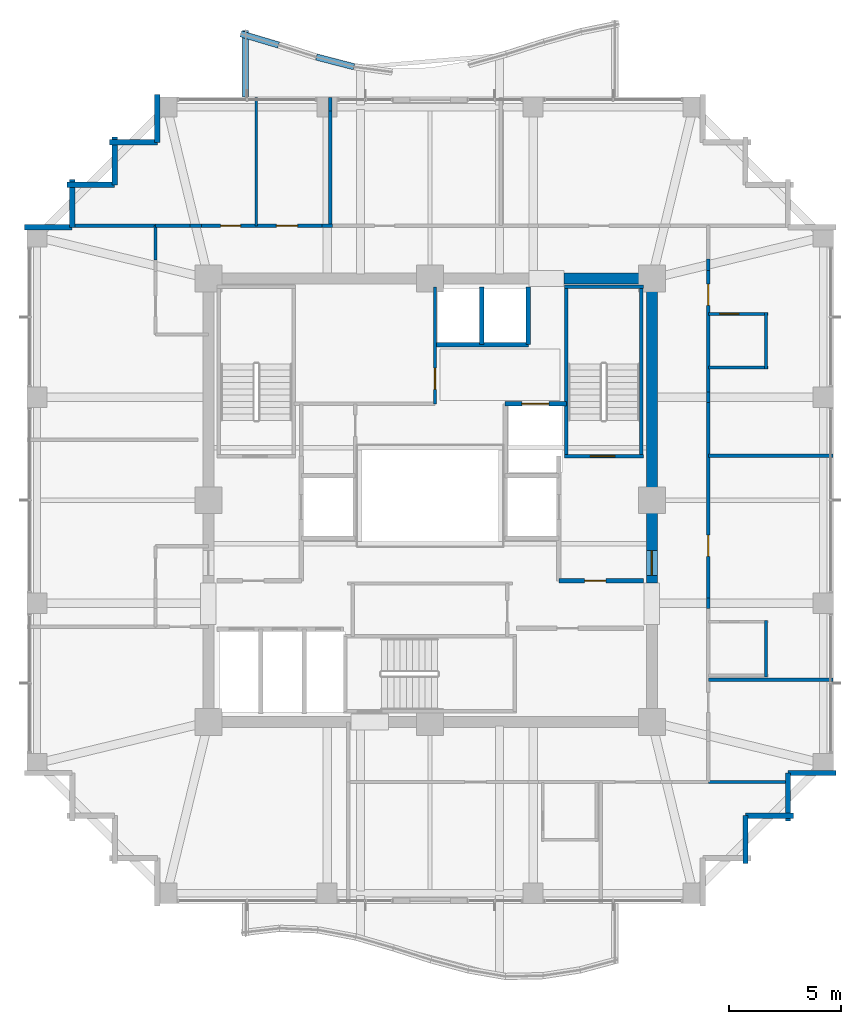
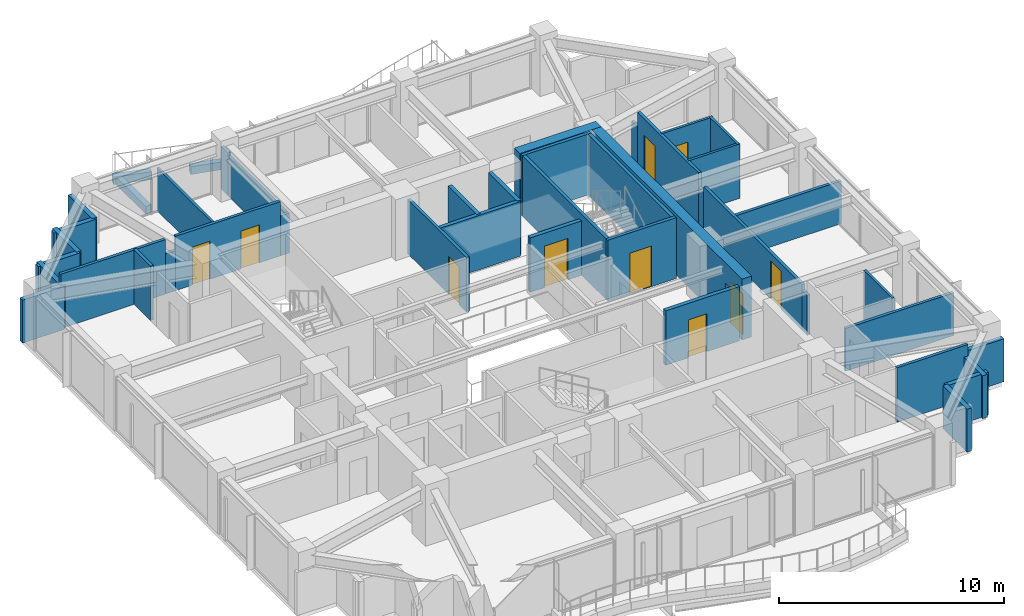
# One storey, part 28 of 31: 46 walls, 10 doors, 10 openings.
"""IFC4 building model written with IfcOpenShell, lengths in metres."""

from ifc_helpers import new_model, si_unit, direction, frame, frame_2d, origin, place, context, subcontext, project, spatial, rectangle, extrude, material, layer, layer_set, type_object, element, fill, save


model = new_model("IFC4")

# Units and contexts
model_context = context("Model", 3, precision=1e-05, world=origin(), true_north=direction((0.0, 1.0)))
body_context = subcontext(model_context, "Body", "Model", "MODEL_VIEW")
ifc_project = project(units=[si_unit("LENGTHUNIT", "METRE"), si_unit("AREAUNIT", "SQUARE_METRE"), si_unit("VOLUMEUNIT", "CUBIC_METRE"), si_unit("PLANEANGLEUNIT", "RADIAN"), si_unit("MASSUNIT", "GRAM", prefix="KILO")], contexts=[model_context])

# Site, building, storey
site_placement = place(None, origin())
site = spatial("IfcSite", under=ifc_project, at=site_placement, CompositionType="ELEMENT")
building_placement = place(site_placement, origin())
building = spatial("IfcBuilding", under=site, at=building_placement, Name="Kolvaren Belvedere", CompositionType="ELEMENT")
storey_placement = place(building_placement, frame((0.0, 0.0, 144.800048828125)))
storey = spatial("IfcBuildingStorey", under=building, at=storey_placement, Name="L42", CompositionType="ELEMENT", Elevation=144.800048828125)

# Wall
ifc_material_1 = material(Name="Concrete C50/60", Category="concrete")
ifc_layer_1 = layer(ifc_material_1, 0.5)
ifc_layer_set_1 = layer_set([ifc_layer_1], Name="Concrete C50/60")
wall_type_1 = type_object("IfcWallType", Name="CW-CORE-500", PredefinedType="SHEAR", material=ifc_layer_set_1)
wall_1_placement = place(storey_placement, frame((5.97998046875, 9.89990234375, 0.0), z_axis=(0.0, 0.0, 1.0), x_axis=(1.0, 0.0, 0.0)))
element("IfcWall", 1, at=wall_1_placement, inside=storey, type_object=wall_type_1, Name="L42 North Core Shear Wall 2", PredefinedType="SHEAR", context=body_context, shape_type="SweptSolid", body=[
    extrude(rectangle(XDim=4.169921875, YDim=0.5, at=frame_2d((2.0849609375, 0.0))), origin(), (0.0, 0.0, 1.0), 3.300048828125),
])

# Wall, opening, door
wall_2_placement = place(storey_placement, frame((9.89990234375, -3.699951171875, 0.0), z_axis=(0.0, 0.0, 1.0), x_axis=(0.0, 1.0, 0.0)))
wall_2 = element("IfcWall", 2, at=wall_2_placement, inside=storey, type_object=wall_type_1, Name="L42 East Core Shear Wall 2", PredefinedType="SHEAR", context=body_context, shape_type="SweptSolid", body=[
    extrude(rectangle(XDim=13.349853515625, YDim=0.5, at=frame_2d((6.6748046875, 0.0))), origin(), (0.0, 0.0, 1.0), 3.300048828125),
])
opening_1_placement = place(wall_2_placement, frame((0.35009765625, 0.0, 0.0)))
opening_1 = element("IfcOpeningElement", 3, at=opening_1_placement, cuts=wall_2, Name="Opening D-FD90", PredefinedType="OPENING", context=body_context, shape_type="SweptSolid", body=[
    extrude(rectangle(XDim=1.10009765625, YDim=2.199951171875, at=frame_2d((0.550048828125, 1.10009765625))), frame((0.0, 0.260009765625, 0.0), z_axis=(0.0, -1.0, 0.0), x_axis=(1.0, 0.0, 0.0)), (0.0, 0.0, 1.0), 0.52001953125),
])
ifc_material_2 = material(Name="Painted hollow stainless steel", Category="steel")
door_type_1 = type_object("IfcDoorType", Name="DR-FD90-1100", OperationType="NOTDEFINED", PredefinedType="DOOR", material=ifc_material_2)
door_1_placement = place(opening_1_placement, origin())
door_1 = element("IfcDoor", 4, at=door_1_placement, inside=storey, type_object=door_type_1, Name="L42 East Firefighting Lobby Fire Door", OperationType="SINGLE_SWING_RIGHT", OverallHeight=2.199951171875, OverallWidth=1.10009765625, PredefinedType="DOOR", context=body_context, shape_type="SweptSolid", body=[
    extrude(rectangle(XDim=1.10009765625, YDim=2.199951171875, at=frame_2d((0.550048828125, 1.10009765625))), frame((0.0, 0.02490234375, 0.0), z_axis=(0.0, -1.0, 0.0), x_axis=(1.0, 0.0, 0.0)), (0.0, 0.0, 1.0), 0.050048828125),
])
fill(opening_1, door_1)

ifc_material_3 = material(Name="Concrete C50/60", Category="concrete")
ifc_layer_2 = layer(ifc_material_3, 0.159912109375)
ifc_layer_set_2 = layer_set([ifc_layer_2], Name="Concrete C50/60")
wall_type_2 = type_object("IfcWallType", Name="CW-STAIR-160", PredefinedType="SHEAR", material=ifc_layer_set_2)
wall_3_placement = place(storey_placement, frame((6.0, 1.969970703125, 0.0), z_axis=(0.0, 0.0, 1.0), x_axis=(1.0, 0.0, 0.0)))
wall_3 = element("IfcWall", 5, at=wall_3_placement, inside=storey, type_object=wall_type_2, Name="L42 Stair ST-2 South Shear Wall", PredefinedType="SHEAR", context=body_context, shape_type="SweptSolid", body=[
    extrude(rectangle(XDim=3.52001953125, YDim=0.159912109375, at=frame_2d((1.760009765625, 0.0))), origin(), (0.0, 0.0, 1.0), 3.300048828125),
])
opening_2_placement = place(wall_3_placement, frame((1.14990234375, 0.0, 0.0)))
opening_2 = element("IfcOpeningElement", 6, at=opening_2_placement, cuts=wall_3, Name="Opening D-FD90", PredefinedType="OPENING", context=body_context, shape_type="SweptSolid", body=[
    extrude(rectangle(XDim=1.10009765625, YDim=2.199951171875, at=frame_2d((0.550048828125, 1.10009765625))), frame((0.0, 0.08984375, 0.0), z_axis=(0.0, -1.0, 0.0), x_axis=(1.0, 0.0, 0.0)), (0.0, 0.0, 1.0), 0.179931640625),
])
door_2_placement = place(opening_2_placement, origin())
door_2 = element("IfcDoor", 7, at=door_2_placement, inside=storey, type_object=door_type_1, Name="L42 Stair ST-2 Fire Door", OperationType="SINGLE_SWING_RIGHT", OverallHeight=2.199951171875, OverallWidth=1.10009765625, PredefinedType="DOOR", context=body_context, shape_type="SweptSolid", body=[
    extrude(rectangle(XDim=1.10009765625, YDim=2.199951171875, at=frame_2d((0.550048828125, 1.10009765625))), frame((0.0, 0.02490234375, 0.0), z_axis=(0.0, -1.0, 0.0), x_axis=(1.0, 0.0, 0.0)), (0.0, 0.0, 1.0), 0.050048828125),
])
fill(opening_2, door_2)

# Walls
wall_4_placement = place(storey_placement, frame((6.0, 9.530029296875, 0.0), z_axis=(0.0, 0.0, 1.0), x_axis=(1.0, 0.0, 0.0)))
element("IfcWall", 8, at=wall_4_placement, inside=storey, type_object=wall_type_2, Name="L42 Stair ST-2 North Shear Wall", PredefinedType="SHEAR", context=body_context, shape_type="SweptSolid", body=[
    extrude(rectangle(XDim=3.52001953125, YDim=0.159912109375, at=frame_2d((1.760009765625, 0.0))), origin(), (0.0, 0.0, 1.0), 3.300048828125),
])
for number, where, z_axis, x_axis, name in (
    (9, (6.080078125, 1.969970703125, 0.0), (0.0, 0.0, 1.0), (0.0, 1.0, 0.0), "L42 Stair ST-2 West Shear Wall"),
    (10, (9.429931640625, 1.969970703125, 0.0), (0.0, 0.0, 1.0), (0.0, 1.0, 0.0), "L42 Stair ST-2 East Shear Wall"),
):
    element("IfcWall", number, at=place(storey_placement, frame(where, z_axis=z_axis, x_axis=x_axis)), inside=storey, type_object=wall_type_2, Name=name, PredefinedType="SHEAR", context=body_context, shape_type="SweptSolid", body=[
        extrude(rectangle(XDim=7.56005859375, YDim=0.159912109375, at=frame_2d((3.780029296875, 0.0))), origin(), (0.0, 0.0, 1.0), 3.300048828125),
    ])
ifc_material_4 = material(Name="Gypsum fire-rated partition assembly", Category="gypsum")
ifc_layer_3 = layer(ifc_material_4, 0.14990234375)
ifc_layer_set_3 = layer_set([ifc_layer_3], Name="Gypsum fire-rated partition assembly")
wall_type_3 = type_object("IfcWallType", Name="WL-CORR-150", PredefinedType="PARTITIONING", material=ifc_layer_set_3)
wall_5_placement = place(storey_placement, frame((-12.260009765625, 12.260009765625, 0.0), z_axis=(0.0, 0.0, 1.0), x_axis=(1.0, 0.0, 0.0)))
element("IfcWall", 11, at=wall_5_placement, inside=storey, type_object=wall_type_3, Name="L42 North Corridor Wall", PredefinedType="PARTITIONING", context=body_context, shape_type="SweptSolid", body=[
    extrude(rectangle(XDim=1.530029296875, YDim=0.14990234375, at=frame_2d((0.76513671875, 0.0))), origin(), (0.0, 0.0, 1.0), 2.949951171875),
])
wall_6_placement = place(storey_placement, frame((-10.72998046875, 12.260009765625, 0.0), z_axis=(0.0, 0.0, 1.0), x_axis=(1.0, 0.0, 0.0)))
element("IfcWall", 12, at=wall_6_placement, inside=storey, type_object=wall_type_3, Name="L42 North Corridor Wall", PredefinedType="PARTITIONING", context=body_context, shape_type="SweptSolid", body=[
    extrude(rectangle(XDim=0.5185546875, YDim=0.14990234375, at=frame_2d((0.25927734375, 0.0))), origin(), (0.0, 0.0, 1.0), 2.161865234375),
])

# Wall, openings, doors
wall_7_placement = place(storey_placement, frame((-10.21142578125, 12.260009765625, 0.0), z_axis=(0.0, 0.0, 1.0), x_axis=(1.0, 0.0, 0.0)))
wall_7 = element("IfcWall", 13, at=wall_7_placement, inside=storey, type_object=wall_type_3, Name="L42 North Corridor Wall", PredefinedType="PARTITIONING", context=body_context, shape_type="SweptSolid", body=[
    extrude(rectangle(XDim=5.37890625, YDim=0.14990234375, at=frame_2d((2.689453125, 0.0))), origin(), (0.0, 0.0, 1.0), 2.949951171875),
])
opening_3_placement = place(wall_7_placement, frame((0.85595703125, 0.0, 0.0)))
opening_3 = element("IfcOpeningElement", 14, at=opening_3_placement, cuts=wall_7, Name="Opening D-INT90", PredefinedType="OPENING", context=body_context, shape_type="SweptSolid", body=[
    extrude(rectangle(XDim=0.89990234375, YDim=2.06005859375, at=frame_2d((0.449951171875, 1.030029296875))), frame((0.0, 0.0849609375, 0.0), z_axis=(0.0, -1.0, 0.0), x_axis=(1.0, 0.0, 0.0)), (0.0, 0.0, 1.0), 0.169921875),
])
opening_4_placement = place(wall_7_placement, frame((3.345947265625, 0.0, 0.0)))
opening_4 = element("IfcOpeningElement", 15, at=opening_4_placement, cuts=wall_7, Name="Opening D-INT95", PredefinedType="OPENING", context=body_context, shape_type="SweptSolid", body=[
    extrude(rectangle(XDim=0.949951171875, YDim=2.06005859375, at=frame_2d((0.47509765625, 1.030029296875))), frame((0.0, 0.0849609375, 0.0), z_axis=(0.0, -1.0, 0.0), x_axis=(1.0, 0.0, 0.0)), (0.0, 0.0, 1.0), 0.169921875),
])
ifc_material_5 = material(Name="Stained Pacific white oak", Category="timber")
door_type_2 = type_object("IfcDoorType", Name="DR-INT-900", OperationType="NOTDEFINED", PredefinedType="DOOR", material=ifc_material_5)
door_3_placement = place(opening_3_placement, origin())
door_3 = element("IfcDoor", 16, at=door_3_placement, inside=storey, type_object=door_type_2, Name="L42 Housekeeping Door", OperationType="SINGLE_SWING_RIGHT", OverallHeight=2.06005859375, OverallWidth=0.89990234375, PredefinedType="DOOR", context=body_context, shape_type="SweptSolid", body=[
    extrude(rectangle(XDim=0.89990234375, YDim=2.06005859375, at=frame_2d((0.449951171875, 1.030029296875))), frame((0.0, 0.02490234375, 0.0), z_axis=(0.0, -1.0, 0.0), x_axis=(1.0, 0.0, 0.0)), (0.0, 0.0, 1.0), 0.050048828125),
])
fill(opening_3, door_3)
ifc_material_6 = material(Name="Stained Pacific white oak", Category="timber")
door_type_3 = type_object("IfcDoorType", Name="DR-INT-950", OperationType="NOTDEFINED", PredefinedType="DOOR", material=ifc_material_6)
door_4_placement = place(opening_4_placement, origin())
door_4 = element("IfcDoor", 17, at=door_4_placement, inside=storey, type_object=door_type_3, Name="L42 Accessible Washroom Door", OperationType="SINGLE_SWING_LEFT", OverallHeight=2.06005859375, OverallWidth=0.949951171875, PredefinedType="DOOR", context=body_context, shape_type="SweptSolid", body=[
    extrude(rectangle(XDim=0.949951171875, YDim=2.06005859375, at=frame_2d((0.47509765625, 1.030029296875))), frame((0.0, 0.02490234375, 0.0), z_axis=(0.0, -1.0, 0.0), x_axis=(1.0, 0.0, 0.0)), (0.0, 0.0, 1.0), 0.050048828125),
])
fill(opening_4, door_4)

# Walls
wall_8_placement = place(storey_placement, frame((-4.83251953125, 12.260009765625, 0.0), z_axis=(0.0, 0.0, 1.0), x_axis=(1.0, 0.0, 0.0)))
element("IfcWall", 18, at=wall_8_placement, inside=storey, type_object=wall_type_3, Name="L42 North Corridor Wall", PredefinedType="PARTITIONING", context=body_context, shape_type="SweptSolid", body=[
    extrude(rectangle(XDim=0.465087890625, YDim=0.14990234375, at=frame_2d((0.232421875, 0.0))), origin(), (0.0, 0.0, 1.0), 2.161865234375),
])
wall_9_placement = place(storey_placement, frame((-12.260009765625, 10.72998046875, 0.0), z_axis=(0.0, 0.0, 1.0), x_axis=(0.0, 1.0, 0.0)))
element("IfcWall", 19, at=wall_9_placement, inside=storey, type_object=wall_type_3, Name="L42 NW Corridor End Wall", PredefinedType="PARTITIONING", context=body_context, shape_type="SweptSolid", body=[
    extrude(rectangle(XDim=1.530029296875, YDim=0.14990234375, at=frame_2d((0.76513671875, 0.0))), origin(), (0.0, 0.0, 1.0), 2.949951171875),
])
wall_10_placement = place(storey_placement, frame((12.419921875, -4.83251953125, 0.0), z_axis=(0.0, 0.0, 1.0), x_axis=(0.0, 1.0, 0.0)))
element("IfcWall", 20, at=wall_10_placement, inside=storey, type_object=wall_type_3, Name="L42 East Corridor Wall", PredefinedType="PARTITIONING", context=body_context, shape_type="SweptSolid", body=[
    extrude(rectangle(XDim=0.465087890625, YDim=0.14990234375, at=frame_2d((0.232421875, 0.0))), origin(), (0.0, 0.0, 1.0), 2.161865234375),
])

# Wall, opening, door
wall_11_placement = place(storey_placement, frame((12.419921875, -4.367431640625, 0.0), z_axis=(0.0, 0.0, 1.0), x_axis=(0.0, 1.0, 0.0)))
wall_11 = element("IfcWall", 21, at=wall_11_placement, inside=storey, type_object=wall_type_3, Name="L42 East Corridor Wall", PredefinedType="PARTITIONING", context=body_context, shape_type="SweptSolid", body=[
    extrude(rectangle(XDim=8.73486328125, YDim=0.14990234375, at=frame_2d((4.367431640625, 0.0))), origin(), (0.0, 0.0, 1.0), 2.474853515625),
])
opening_5_placement = place(wall_11_placement, frame((1.862548828125, 0.0, 0.0)))
opening_5 = element("IfcOpeningElement", 22, at=opening_5_placement, cuts=wall_11, Name="Opening D-FD60", PredefinedType="OPENING", context=body_context, shape_type="SweptSolid", body=[
    extrude(rectangle(XDim=0.949951171875, YDim=2.06005859375, at=frame_2d((0.47509765625, 1.030029296875))), frame((0.0, 0.0849609375, 0.0), z_axis=(0.0, -1.0, 0.0), x_axis=(1.0, 0.0, 0.0)), (0.0, 0.0, 1.0), 0.169921875),
])
ifc_material_7 = material(Name="Acoustic white-oak fire door leaf", Category="timber")
door_type_4 = type_object("IfcDoorType", Name="DR-FD60-950", OperationType="NOTDEFINED", PredefinedType="DOOR", material=ifc_material_7)
door_5_placement = place(opening_5_placement, origin())
door_5 = element("IfcDoor", 23, at=door_5_placement, inside=storey, type_object=door_type_4, Name="L42 Botanical Hospitality Suite 4204 Entry Door", OperationType="SINGLE_SWING_RIGHT", OverallHeight=2.06005859375, OverallWidth=0.949951171875, PredefinedType="DOOR", context=body_context, shape_type="SweptSolid", body=[
    extrude(rectangle(XDim=0.949951171875, YDim=2.06005859375, at=frame_2d((0.47509765625, 1.030029296875))), frame((0.0, 0.02490234375, 0.0), z_axis=(0.0, -1.0, 0.0), x_axis=(1.0, 0.0, 0.0)), (0.0, 0.0, 1.0), 0.050048828125),
])
fill(opening_5, door_5)

# Wall
wall_12_placement = place(storey_placement, frame((12.419921875, 4.367431640625, 0.0), z_axis=(0.0, 0.0, 1.0), x_axis=(0.0, 1.0, 0.0)))
element("IfcWall", 24, at=wall_12_placement, inside=storey, type_object=wall_type_3, Name="L42 East Corridor Wall", PredefinedType="PARTITIONING", context=body_context, shape_type="SweptSolid", body=[
    extrude(rectangle(XDim=0.465087890625, YDim=0.14990234375, at=frame_2d((0.232421875, 0.0))), origin(), (0.0, 0.0, 1.0), 2.161865234375),
])

# Wall, opening, door
wall_13_placement = place(storey_placement, frame((12.419921875, 4.83251953125, 0.0), z_axis=(0.0, 0.0, 1.0), x_axis=(0.0, 1.0, 0.0)))
wall_13 = element("IfcWall", 25, at=wall_13_placement, inside=storey, type_object=wall_type_3, Name="L42 East Corridor Wall", PredefinedType="PARTITIONING", context=body_context, shape_type="SweptSolid", body=[
    extrude(rectangle(XDim=5.41748046875, YDim=0.14990234375, at=frame_2d((2.708740234375, 0.0))), origin(), (0.0, 0.0, 1.0), 2.949951171875),
])
opening_6_placement = place(wall_13_placement, frame((3.862548828125, 0.0, 0.0)))
opening_6 = element("IfcOpeningElement", 26, at=opening_6_placement, cuts=wall_13, Name="Opening D-FD60", PredefinedType="OPENING", context=body_context, shape_type="SweptSolid", body=[
    extrude(rectangle(XDim=0.949951171875, YDim=2.06005859375, at=frame_2d((0.47509765625, 1.030029296875))), frame((0.0, 0.0849609375, 0.0), z_axis=(0.0, -1.0, 0.0), x_axis=(1.0, 0.0, 0.0)), (0.0, 0.0, 1.0), 0.169921875),
])
door_6_placement = place(opening_6_placement, origin())
door_6 = element("IfcDoor", 27, at=door_6_placement, inside=storey, type_object=door_type_4, Name="L42 Botanical Hospitality Suite 4205 Entry Door", OperationType="SINGLE_SWING_RIGHT", OverallHeight=2.06005859375, OverallWidth=0.949951171875, PredefinedType="DOOR", context=body_context, shape_type="SweptSolid", body=[
    extrude(rectangle(XDim=0.949951171875, YDim=2.06005859375, at=frame_2d((0.47509765625, 1.030029296875))), frame((0.0, 0.02490234375, 0.0), z_axis=(0.0, -1.0, 0.0), x_axis=(1.0, 0.0, 0.0)), (0.0, 0.0, 1.0), 0.050048828125),
])
fill(opening_6, door_6)

# Walls
wall_14_placement = place(storey_placement, frame((12.419921875, 10.25, 0.0), z_axis=(0.0, 0.0, 1.0), x_axis=(0.0, 1.0, 0.0)))
element("IfcWall", 28, at=wall_14_placement, inside=storey, type_object=wall_type_3, Name="L42 East Corridor Wall", PredefinedType="PARTITIONING", context=body_context, shape_type="SweptSolid", body=[
    extrude(rectangle(XDim=0.518798828125, YDim=0.14990234375, at=frame_2d((0.25927734375, 0.0))), origin(), (0.0, 0.0, 1.0), 2.161865234375),
])
ifc_material_8 = material(Name="Insulated pale-metal facade wall assembly", Category="aluminium")
ifc_layer_4 = layer(ifc_material_8, 0.239990234375)
ifc_layer_set_4 = layer_set([ifc_layer_4], Name="Insulated pale-metal facade wall assembly")
wall_type_4 = type_object("IfcWallType", Name="WL-EXT-240", PredefinedType="STANDARD", material=ifc_layer_set_4)
for number, where, z_axis, x_axis, name in (
    (29, (14.080078125, -14.080078125, 0.0), (0.0, 0.0, 1.0), (0.0, -1.0, 0.0), "L42 Serrated Corner Facade Wall 4"),
    (30, (16.219970703125, -14.080078125, 0.0), (0.0, 0.0, 1.0), (-1.0, 0.0, 0.0), "L42 Serrated Corner Facade Wall 5"),
):
    element("IfcWall", number, at=place(storey_placement, frame(where, z_axis=z_axis, x_axis=x_axis)), inside=storey, type_object=wall_type_4, Name=name, PredefinedType="STANDARD", context=body_context, shape_type="SweptSolid", body=[
        extrude(rectangle(XDim=2.139892578125, YDim=0.239990234375, at=frame_2d((1.06982421875, 0.0))), origin(), (0.0, 0.0, 1.0), 2.328857421875),
    ])
for number, where, z_axis, x_axis, name in (
    (31, (15.97998046875, -12.179931640625, 0.0), (0.0, 0.0, 1.0), (0.0, -1.0, 0.0), "L42 Serrated Corner Facade Wall 6"),
    (32, (18.1201171875, -12.179931640625, 0.0), (0.0, 0.0, 1.0), (-1.0, 0.0, 0.0), "L42 Serrated Corner Facade Wall 7"),
    (33, (-12.179931640625, 15.97998046875, 0.0), (0.0, 0.0, 1.0), (0.0, 1.0, 0.0), "L42 Serrated Corner Facade Wall 16"),
    (34, (-14.320068359375, 15.97998046875, 0.0), (0.0, 0.0, 1.0), (1.0, 0.0, 0.0), "L42 Serrated Corner Facade Wall 17"),
):
    element("IfcWall", number, at=place(storey_placement, frame(where, z_axis=z_axis, x_axis=x_axis)), inside=storey, type_object=wall_type_4, Name=name, PredefinedType="STANDARD", context=body_context, shape_type="SweptSolid", body=[
        extrude(rectangle(XDim=2.14013671875, YDim=0.239990234375, at=frame_2d((1.070068359375, 0.0))), origin(), (0.0, 0.0, 1.0), 2.328857421875),
    ])
for number, where, z_axis, x_axis, name in (
    (35, (-14.080078125, 14.080078125, 0.0), (0.0, 0.0, 1.0), (0.0, 1.0, 0.0), "L42 Serrated Corner Facade Wall 18"),
    (36, (-16.219970703125, 14.080078125, 0.0), (0.0, 0.0, 1.0), (1.0, 0.0, 0.0), "L42 Serrated Corner Facade Wall 19"),
):
    element("IfcWall", number, at=place(storey_placement, frame(where, z_axis=z_axis, x_axis=x_axis)), inside=storey, type_object=wall_type_4, Name=name, PredefinedType="STANDARD", context=body_context, shape_type="SweptSolid", body=[
        extrude(rectangle(XDim=2.139892578125, YDim=0.239990234375, at=frame_2d((1.06982421875, 0.0))), origin(), (0.0, 0.0, 1.0), 2.328857421875),
    ])
for number, where, z_axis, x_axis, name in (
    (37, (-15.97998046875, 12.179931640625, 0.0), (0.0, 0.0, 1.0), (0.0, 1.0, 0.0), "L42 Serrated Corner Facade Wall 20"),
    (38, (-18.1201171875, 12.179931640625, 0.0), (0.0, 0.0, 1.0), (1.0, 0.0, 0.0), "L42 Serrated Corner Facade Wall 21"),
):
    element("IfcWall", number, at=place(storey_placement, frame(where, z_axis=z_axis, x_axis=x_axis)), inside=storey, type_object=wall_type_4, Name=name, PredefinedType="STANDARD", context=body_context, shape_type="SweptSolid", body=[
        extrude(rectangle(XDim=2.14013671875, YDim=0.239990234375, at=frame_2d((1.070068359375, 0.0))), origin(), (0.0, 0.0, 1.0), 2.328857421875),
    ])

# Wall, opening, door
ifc_material_9 = material(Name="Gypsum acoustic partition assembly", Category="gypsum")
ifc_layer_5 = layer(ifc_material_9, 0.14990234375)
ifc_layer_set_5 = layer_set([ifc_layer_5], Name="Gypsum acoustic partition assembly")
wall_type_5 = type_object("IfcWallType", Name="WL-PART-150", PredefinedType="PARTITIONING", material=ifc_layer_set_5)
wall_15_placement = place(storey_placement, frame((0.219970703125, 4.300048828125, 0.0), z_axis=(0.0, 0.0, 1.0), x_axis=(0.0, 1.0, 0.0)))
wall_15 = element("IfcWall", 39, at=wall_15_placement, inside=storey, type_object=wall_type_5, Name="L42 Reclaimed Salon East Wall", PredefinedType="PARTITIONING", context=body_context, shape_type="SweptSolid", body=[
    extrude(rectangle(XDim=5.219970703125, YDim=0.14990234375, at=frame_2d((2.60986328125, 0.0))), origin(), (0.0, 0.0, 1.0), 2.949951171875),
])
opening_7_placement = place(wall_15_placement, frame((0.64990234375, 0.0, 0.0)))
opening_7 = element("IfcOpeningElement", 40, at=opening_7_placement, cuts=wall_15, Name="Opening D-INT95", PredefinedType="OPENING", context=body_context, shape_type="SweptSolid", body=[
    extrude(rectangle(XDim=0.949951171875, YDim=2.06005859375, at=frame_2d((0.47509765625, 1.030029296875))), frame((0.0, 0.0849609375, 0.0), z_axis=(0.0, -1.0, 0.0), x_axis=(1.0, 0.0, 0.0)), (0.0, 0.0, 1.0), 0.169921875),
])
door_7_placement = place(opening_7_placement, origin())
door_7 = element("IfcDoor", 41, at=door_7_placement, inside=storey, type_object=door_type_3, Name="L42 Botanical Reading Salon Door", OperationType="SINGLE_SWING_LEFT", OverallHeight=2.06005859375, OverallWidth=0.949951171875, PredefinedType="DOOR", context=body_context, shape_type="SweptSolid", body=[
    extrude(rectangle(XDim=0.949951171875, YDim=2.06005859375, at=frame_2d((0.47509765625, 1.030029296875))), frame((0.0, 0.02490234375, 0.0), z_axis=(0.0, -1.0, 0.0), x_axis=(1.0, 0.0, 0.0)), (0.0, 0.0, 1.0), 0.050048828125),
])
fill(opening_7, door_7)

# Walls
wall_16_placement = place(storey_placement, frame((12.419921875, -12.580078125, 0.0), z_axis=(0.0, 0.0, 1.0), x_axis=(1.0, 0.0, 0.0)))
element("IfcWall", 42, at=wall_16_placement, inside=storey, type_object=wall_type_5, Name="L42 Wing Divider PW-L42-QSE", PredefinedType="PARTITIONING", context=body_context, shape_type="SweptSolid", body=[
    extrude(rectangle(XDim=3.66015625, YDim=0.14990234375, at=frame_2d((1.830078125, 0.0))), origin(), (0.0, 0.0, 1.0), 2.949951171875),
])
wall_17_placement = place(storey_placement, frame((-16.09619140625, 12.260009765625, 0.0), z_axis=(0.0, 0.0, 1.0), x_axis=(1.0, 0.0, 0.0)))
element("IfcWall", 43, at=wall_17_placement, inside=storey, type_object=wall_type_5, Name="L42 Wing Divider PW-L42-QNW", PredefinedType="PARTITIONING", context=body_context, shape_type="SweptSolid", body=[
    extrude(rectangle(XDim=3.836181640625, YDim=0.14990234375, at=frame_2d((1.91796875, 0.0))), origin(), (0.0, 0.0, 1.0), 2.949951171875),
])
wall_18_placement = place(storey_placement, frame((-4.451904296875, 12.260009765625, 0.0), z_axis=(0.0, 0.0, 1.0), x_axis=(0.0, 1.0, 0.0)))
element("IfcWall", 44, at=wall_18_placement, inside=storey, type_object=wall_type_5, Name="L42 North Suite Demising Wall 1", PredefinedType="PARTITIONING", context=body_context, shape_type="SweptSolid", body=[
    extrude(rectangle(XDim=5.117431640625, YDim=0.14990234375, at=frame_2d((2.55859375, 0.0))), origin(), (0.0, 0.0, 1.0), 2.161865234375),
])
wall_19_placement = place(storey_placement, frame((-4.451904296875, 17.37744140625, 0.0), z_axis=(0.0, 0.0, 1.0), x_axis=(0.0, 1.0, 0.0)))
element("IfcWall", 45, at=wall_19_placement, inside=storey, type_object=wall_type_5, Name="L42 North Suite Demising Wall 1", PredefinedType="PARTITIONING", context=body_context, shape_type="SweptSolid", body=[
    extrude(rectangle(XDim=0.6025390625, YDim=0.14990234375, at=frame_2d((0.30126953125, 0.0))), origin(), (0.0, 0.0, 1.0), 2.31884765625),
])
for number, where, z_axis, x_axis, name in (
    (46, (12.419921875, -8.02001953125, 0.0), (0.0, 0.0, 1.0), (1.0, 0.0, 0.0), "L42 East Suite Demising Wall 1"),
    (47, (12.419921875, 1.97998046875, 0.0), (0.0, 0.0, 1.0), (1.0, 0.0, 0.0), "L42 East Suite Demising Wall 2"),
):
    element("IfcWall", number, at=place(storey_placement, frame(where, z_axis=z_axis, x_axis=x_axis)), inside=storey, type_object=wall_type_5, Name=name, PredefinedType="PARTITIONING", context=body_context, shape_type="SweptSolid", body=[
        extrude(rectangle(XDim=5.56005859375, YDim=0.14990234375, at=frame_2d((2.780029296875, 0.0))), origin(), (0.0, 0.0, 1.0), 2.31884765625),
    ])
ifc_material_10 = material(Name="Precast concrete C40/50", Category="concrete")
ifc_layer_6 = layer(ifc_material_10, 0.300048828125)
ifc_layer_set_6 = layer_set([ifc_layer_6], Name="Precast concrete C40/50")
wall_type_6 = type_object("IfcWallType", Name="WL-PLANTER-300", PredefinedType="PARAPET", material=ifc_layer_set_6)
wall_20_placement = place(storey_placement, frame((-3.400146484375, 19.352783203125, -0.02001953125), z_axis=(0.0, 0.0, 1.0), x_axis=(-0.968098088289, 0.25057152961, 0.0)))
element("IfcWall", 48, at=wall_20_placement, inside=storey, type_object=wall_type_6, Name="L42 Precast Structural Planter Wall BAL-N-19", PredefinedType="PARAPET", context=body_context, shape_type="SweptSolid", body=[
    extrude(rectangle(XDim=1.7353515625, YDim=0.280029296875, at=frame_2d((0.86767578125, 0.0))), origin(), (0.0, 0.0, 1.0), 0.419921875),
])
wall_21_placement = place(storey_placement, frame((-6.765625, 20.322021484375, -0.02001953125), z_axis=(0.0, 0.0, 1.0), x_axis=(-0.95856309129, 0.284880325779, 0.0)))
element("IfcWall", 49, at=wall_21_placement, inside=storey, type_object=wall_type_6, Name="L42 Precast Structural Planter Wall BAL-N-21", PredefinedType="PARAPET", context=body_context, shape_type="SweptSolid", body=[
    extrude(rectangle(XDim=1.75244140625, YDim=0.280029296875, at=frame_2d((0.876220703125, 0.0))), origin(), (0.0, 0.0, 1.0), 0.419921875),
])
wall_22_placement = place(storey_placement, frame((-8.239990234375, 20.974853515625, -0.02001953125), z_axis=(0.0, 0.0, 1.0), x_axis=(0.0, -1.0, 0.0)))
element("IfcWall", 50, at=wall_22_placement, inside=storey, type_object=wall_type_6, Name="L42 Precast Structural Planter Wall BAL-N-22", PredefinedType="PARAPET", context=body_context, shape_type="SweptSolid", body=[
    extrude(rectangle(XDim=2.974853515625, YDim=0.280029296875, at=frame_2d((1.4873046875, 0.0))), origin(), (0.0, 0.0, 1.0), 0.419921875),
])

# Wall, opening, door
ifc_material_11 = material(Name="Concrete C50/60", Category="concrete")
ifc_layer_7 = layer(ifc_material_11, 0.199951171875)
ifc_layer_set_7 = layer_set([ifc_layer_7], Name="Concrete C50/60")
wall_type_7 = type_object("IfcWallType", Name="WL-SHAFT-200", PredefinedType="SOLIDWALL", material=ifc_layer_set_7)
wall_23_placement = place(storey_placement, frame((5.75, -3.60009765625, 0.0), z_axis=(0.0, 0.0, 1.0), x_axis=(1.0, 0.0, 0.0)))
wall_23 = element("IfcWall", 51, at=wall_23_placement, inside=storey, type_object=wall_type_7, Name="L42 East FSAE Lobby South Wall", PredefinedType="SOLIDWALL", context=body_context, shape_type="SweptSolid", body=[
    extrude(rectangle(XDim=3.77001953125, YDim=0.199951171875, at=frame_2d((1.885009765625, 0.0))), origin(), (0.0, 0.0, 1.0), 2.949951171875),
])
opening_8_placement = place(wall_23_placement, frame((1.14990234375, 0.0, 0.0)))
opening_8 = element("IfcOpeningElement", 52, at=opening_8_placement, cuts=wall_23, Name="Opening D-FD60", PredefinedType="OPENING", context=body_context, shape_type="SweptSolid", body=[
    extrude(rectangle(XDim=0.949951171875, YDim=2.06005859375, at=frame_2d((0.47509765625, 1.030029296875))), frame((0.0, 0.10986328125, 0.0), z_axis=(0.0, -1.0, 0.0), x_axis=(1.0, 0.0, 0.0)), (0.0, 0.0, 1.0), 0.219970703125),
])
door_8_placement = place(opening_8_placement, origin())
door_8 = element("IfcDoor", 53, at=door_8_placement, inside=storey, type_object=door_type_4, Name="L42 SE Lift Lobby Fire Door", OperationType="SINGLE_SWING_RIGHT", OverallHeight=2.06005859375, OverallWidth=0.949951171875, PredefinedType="DOOR", context=body_context, shape_type="SweptSolid", body=[
    extrude(rectangle(XDim=0.949951171875, YDim=2.06005859375, at=frame_2d((0.47509765625, 1.030029296875))), frame((0.0, 0.02490234375, 0.0), z_axis=(0.0, -1.0, 0.0), x_axis=(1.0, 0.0, 0.0)), (0.0, 0.0, 1.0), 0.050048828125),
])
fill(opening_8, door_8)

wall_24_placement = place(storey_placement, frame((3.35009765625, 4.300048828125, 0.0), z_axis=(0.0, 0.0, 1.0), x_axis=(1.0, 0.0, 0.0)))
wall_24 = element("IfcWall", 54, at=wall_24_placement, inside=storey, type_object=wall_type_7, Name="L42 Service Lift SV1 Front Wall", PredefinedType="SOLIDWALL", context=body_context, shape_type="SweptSolid", body=[
    extrude(rectangle(XDim=2.72998046875, YDim=0.199951171875, at=frame_2d((1.364990234375, 0.0))), origin(), (0.0, 0.0, 1.0), 2.949951171875),
])
opening_9_placement = place(wall_24_placement, frame((0.75, 0.0, 0.0)))
opening_9 = element("IfcOpeningElement", 55, at=opening_9_placement, cuts=wall_24, Name="Opening LD-12", PredefinedType="OPENING", context=body_context, shape_type="SweptSolid", body=[
    extrude(rectangle(XDim=1.199951171875, YDim=2.25, at=frame_2d((0.60009765625, 1.125))), frame((0.0, 0.10986328125, 0.0), z_axis=(0.0, -1.0, 0.0), x_axis=(1.0, 0.0, 0.0)), (0.0, 0.0, 1.0), 0.219970703125),
])
ifc_material_12 = material(Name="Brushed stainless steel", Category="steel")
door_type_5 = type_object("IfcDoorType", Name="DR-LIFT-1200", OperationType="DOUBLE_DOOR_SLIDING", PredefinedType="DOOR", material=ifc_material_12)
door_9_placement = place(opening_9_placement, origin())
door_9 = element("IfcDoor", 56, at=door_9_placement, inside=storey, type_object=door_type_5, Name="L42 Service Lift SV1 Landing Door", OperationType="DOUBLE_DOOR_SLIDING", OverallHeight=2.25, OverallWidth=1.199951171875, PredefinedType="DOOR", context=body_context, shape_type="SweptSolid", body=[
    extrude(rectangle(XDim=1.199951171875, YDim=2.25, at=frame_2d((0.60009765625, 1.125))), frame((0.0, 0.02490234375, 0.0), z_axis=(0.0, -1.0, 0.0), x_axis=(1.0, 0.0, 0.0)), (0.0, 0.0, 1.0), 0.050048828125),
])
fill(opening_9, door_9)

# Walls
wall_25_placement = place(storey_placement, frame((0.219970703125, 6.949951171875, 0.0), z_axis=(0.0, 0.0, 1.0), x_axis=(1.0, 0.0, 0.0)))
element("IfcWall", 57, at=wall_25_placement, inside=storey, type_object=wall_type_7, Name="L42 Express Shuttle Hoistway Wall", PredefinedType="SOLIDWALL", context=body_context, shape_type="SweptSolid", body=[
    extrude(rectangle(XDim=4.179931640625, YDim=0.199951171875, at=frame_2d((2.08984375, 0.0))), origin(), (0.0, 0.0, 1.0), 2.949951171875),
])
for number, where, z_axis, x_axis, name in (
    (58, (4.3798828125, 6.949951171875, 0.0), (0.0, 0.0, 1.0), (0.0, 1.0, 0.0), "L42 Express Shuttle East Wall"),
    (59, (2.31005859375, 6.949951171875, 0.0), (0.0, 0.0, 1.0), (0.0, 1.0, 0.0), "L42 Express Shuttle Divider"),
):
    element("IfcWall", number, at=place(storey_placement, frame(where, z_axis=z_axis, x_axis=x_axis)), inside=storey, type_object=wall_type_7, Name=name, PredefinedType="SOLIDWALL", context=body_context, shape_type="SweptSolid", body=[
        extrude(rectangle(XDim=2.570068359375, YDim=0.199951171875, at=frame_2d((1.28515625, 0.0))), origin(), (0.0, 0.0, 1.0), 2.949951171875),
    ])
ifc_material_13 = material(Name="Moisture-resistant gypsum partition", Category="gypsum")
ifc_layer_8 = layer(ifc_material_13, 0.125)
ifc_layer_set_8 = layer_set([ifc_layer_8], Name="Moisture-resistant gypsum partition")
wall_type_8 = type_object("IfcWallType", Name="WL-WET-125", PredefinedType="PARTITIONING", material=ifc_layer_set_8)
wall_26_placement = place(storey_placement, frame((-7.760986328125, 12.235107421875, 0.0), z_axis=(0.0, 0.0, 1.0), x_axis=(0.0, 1.0, 0.0)))
element("IfcWall", 60, at=wall_26_placement, inside=storey, type_object=wall_type_8, Name="L42 Housekeeping Washroom Divider", PredefinedType="PARTITIONING", context=body_context, shape_type="SweptSolid", body=[
    extrude(rectangle(XDim=5.744873046875, YDim=0.125, at=frame_2d((2.87255859375, 0.0))), origin(), (0.0, 0.0, 1.0), 2.31884765625),
])
wall_27_placement = place(storey_placement, frame((14.9951171875, -7.885009765625, 0.0), z_axis=(0.0, 0.0, 1.0), x_axis=(0.0, 1.0, 0.0)))
element("IfcWall", 61, at=wall_27_placement, inside=storey, type_object=wall_type_8, Name="L42 Bathroom Partition PW-L42-BTH-4-V", PredefinedType="PARTITIONING", context=body_context, shape_type="SweptSolid", body=[
    extrude(rectangle(XDim=2.52001953125, YDim=0.125, at=frame_2d((1.260009765625, 0.0))), origin(), (0.0, 0.0, 1.0), 2.949951171875),
])

# Wall, opening, door
wall_28_placement = place(storey_placement, frame((12.43505859375, 8.320068359375, 0.0), z_axis=(0.0, 0.0, 1.0), x_axis=(1.0, 0.0, 0.0)))
wall_28 = element("IfcWall", 62, at=wall_28_placement, inside=storey, type_object=wall_type_8, Name="L42 Bathroom Partition PW-L42-BTH-5-N", PredefinedType="PARTITIONING", context=body_context, shape_type="SweptSolid", body=[
    extrude(rectangle(XDim=2.639892578125, YDim=0.125, at=frame_2d((1.31982421875, 0.0))), origin(), (0.0, 0.0, 1.0), 2.949951171875),
])
opening_10_placement = place(wall_28_placement, frame((0.5, 0.0, 0.0)))
opening_10 = element("IfcOpeningElement", 63, at=opening_10_placement, cuts=wall_28, Name="Opening D-BTH85", PredefinedType="OPENING", context=body_context, shape_type="SweptSolid", body=[
    extrude(rectangle(XDim=0.85009765625, YDim=2.030029296875, at=frame_2d((0.425048828125, 1.01513671875))), frame((0.0, 0.072509765625, 0.0), z_axis=(0.0, -1.0, 0.0), x_axis=(1.0, 0.0, 0.0)), (0.0, 0.0, 1.0), 0.14501953125),
])
ifc_material_14 = material(Name="Moisture-sealed Pacific white oak", Category="timber")
door_type_6 = type_object("IfcDoorType", Name="DR-BATH-850", OperationType="NOTDEFINED", PredefinedType="DOOR", material=ifc_material_14)
door_10_placement = place(opening_10_placement, origin())
door_10 = element("IfcDoor", 64, at=door_10_placement, inside=storey, type_object=door_type_6, Name="L42 En-Suite Bathroom 4205 Door", OperationType="SINGLE_SWING_LEFT", OverallHeight=2.030029296875, OverallWidth=0.85009765625, PredefinedType="DOOR", context=body_context, shape_type="SweptSolid", body=[
    extrude(rectangle(XDim=0.85009765625, YDim=2.030029296875, at=frame_2d((0.425048828125, 1.01513671875))), frame((0.0, 0.02490234375, 0.0), z_axis=(0.0, -1.0, 0.0), x_axis=(1.0, 0.0, 0.0)), (0.0, 0.0, 1.0), 0.050048828125),
])
fill(opening_10, door_10)

# Walls
wall_29_placement = place(storey_placement, frame((14.9951171875, 5.860107421875, 0.0), z_axis=(0.0, 0.0, 1.0), x_axis=(0.0, 1.0, 0.0)))
element("IfcWall", 65, at=wall_29_placement, inside=storey, type_object=wall_type_8, Name="L42 Bathroom Partition PW-L42-BTH-5-V", PredefinedType="PARTITIONING", context=body_context, shape_type="SweptSolid", body=[
    extrude(rectangle(XDim=2.519775390625, YDim=0.125, at=frame_2d((1.259765625, 0.0))), origin(), (0.0, 0.0, 1.0), 2.949951171875),
])
wall_30_placement = place(storey_placement, frame((12.43505859375, 5.919921875, 0.0), z_axis=(0.0, 0.0, 1.0), x_axis=(1.0, 0.0, 0.0)))
element("IfcWall", 66, at=wall_30_placement, inside=storey, type_object=wall_type_8, Name="L42 Bathroom Partition PW-L42-BTH-5-S", PredefinedType="PARTITIONING", context=body_context, shape_type="SweptSolid", body=[
    extrude(rectangle(XDim=2.639892578125, YDim=0.125, at=frame_2d((1.31982421875, 0.0))), origin(), (0.0, 0.0, 1.0), 2.949951171875),
])

save(model, "model.ifc")
